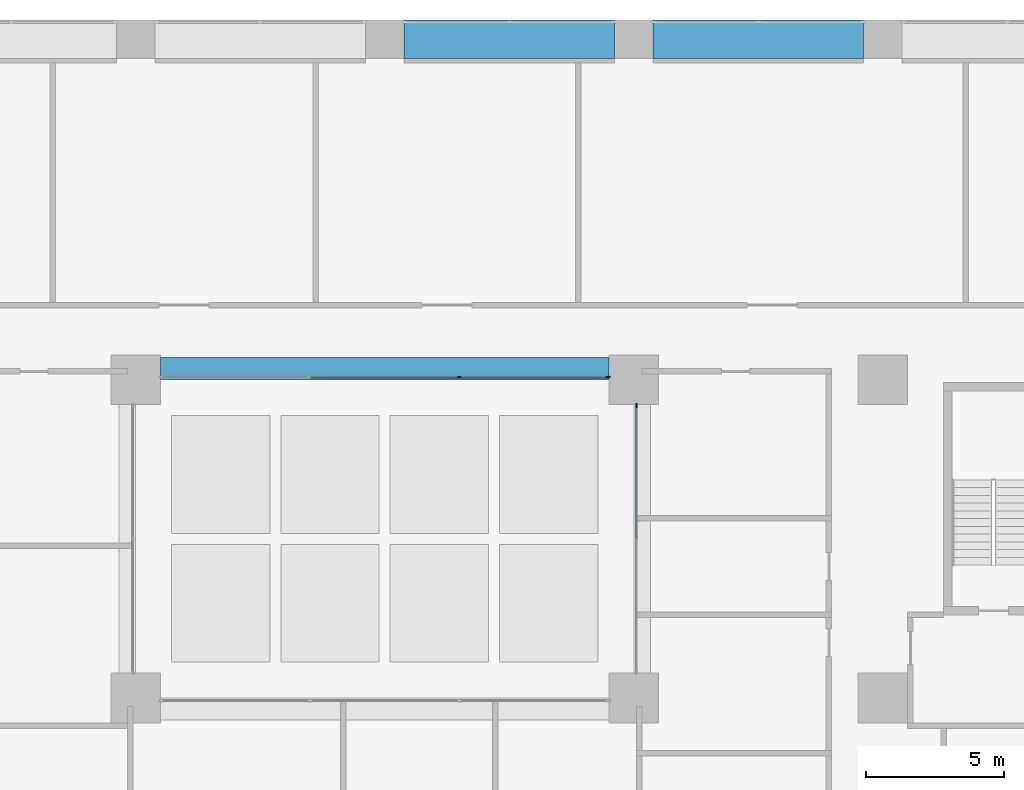
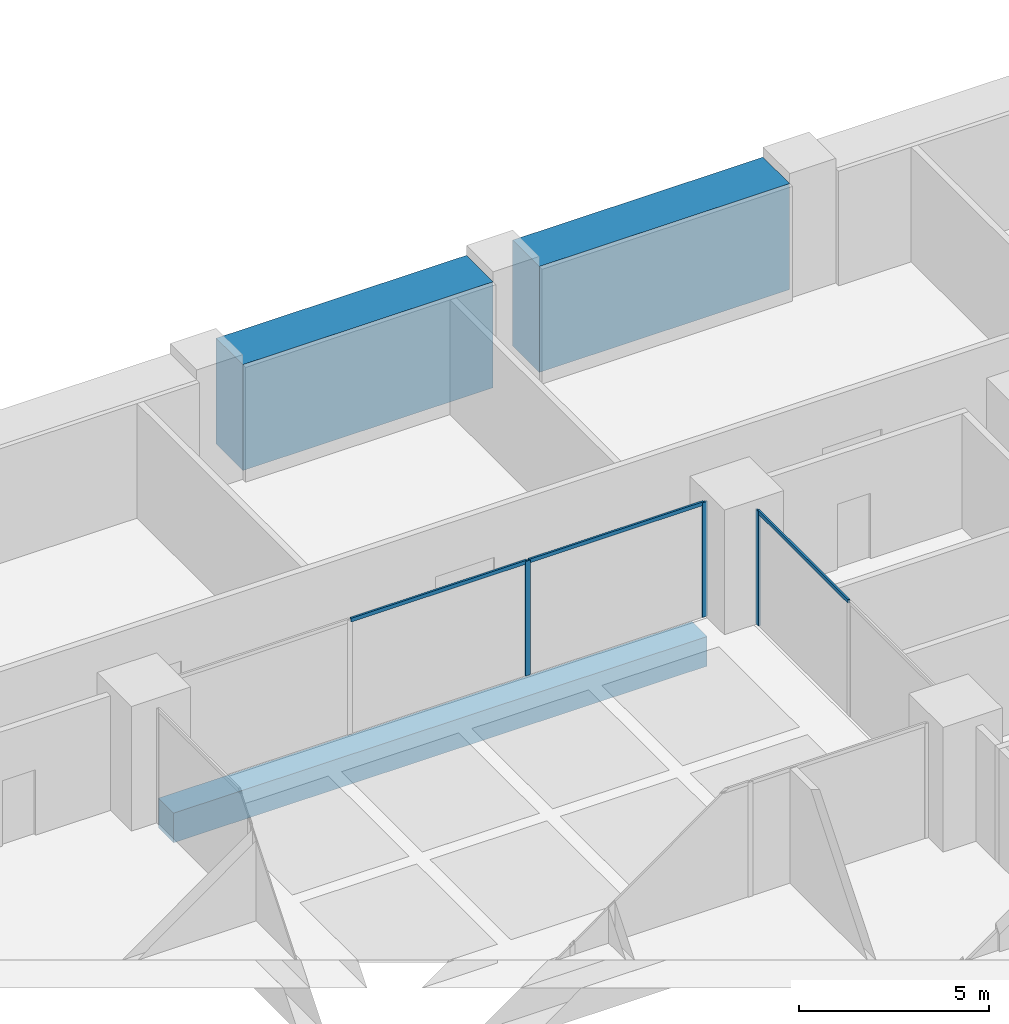
# One storey, part 8 of 24: 6 members, 3 beams, 2 elements without a shape of their own.
"""IFC4 building model written with IfcOpenShell, lengths in metres."""

from ifc_helpers import new_model, si_unit, direction, frame, origin, origin_2d, place, context, subcontext, project, spatial, rectangle, extrude, material, layer, layer_set, material_profile, profile_set, type_object, element, aggregate, save


model = new_model("IFC4")

# Units and contexts
model_context = context("Model", 3, precision=1e-05, world=origin(), true_north=direction((0.0, 1.0)))
body_context = subcontext(model_context, "Body", "Model", "MODEL_VIEW")
ifc_project = project(units=[si_unit("LENGTHUNIT", "METRE"), si_unit("AREAUNIT", "SQUARE_METRE"), si_unit("VOLUMEUNIT", "CUBIC_METRE"), si_unit("PLANEANGLEUNIT", "RADIAN"), si_unit("MASSUNIT", "GRAM", prefix="KILO")], contexts=[model_context])

# Site, building, storey
site_placement = place(None, origin())
site = spatial("IfcSite", under=ifc_project, at=site_placement, CompositionType="ELEMENT")
building_placement = place(site_placement, origin())
building = spatial("IfcBuilding", under=site, at=building_placement, Name="Brigalow Station Residences", CompositionType="ELEMENT")
storey_placement = place(building_placement, frame((0.0, 0.0, 15.5)))
storey = spatial("IfcBuildingStorey", under=building, at=storey_placement, Name="L03", CompositionType="ELEMENT", Elevation=15.5)

# Beam
ifc_material_1 = material(Name="Concrete C65", Category="concrete")
ifc_material_profile_1 = material_profile(ifc_material_1, rectangle(XDim=0.800048828125, YDim=0.949951171875, at=origin_2d()), Name="RC800x950")
ifc_profile_set_1 = profile_set([ifc_material_profile_1], Name="Concrete C65")
beam_type_1 = type_object("IfcBeamType", Name="ATRIUM EDGE GIRDER OVER 13.5 M SPAN 800x950 C65", PredefinedType="BEAM", material=ifc_profile_set_1)
beam_placement = place(storey_placement, frame((27.89990234375, 35.89990234375, -1.074951171875), z_axis=(1.0, 0.0, 0.0), x_axis=(0.0, 1.0, 0.0)))
element("IfcBeam", 1, at=beam_placement, inside=storey, type_object=beam_type_1, Name="ATRIUM EDGE GIRDER D L03", PredefinedType="BEAM", context=body_context, shape_type="SweptSolid", body=[
    extrude(rectangle(XDim=0.800048828125, YDim=0.949951171875, at=origin_2d()), origin(), (0.0, 0.0, 1.0), 16.2001953125),
])

# Curtain wall, member
ifc_material_2 = material(Name="Aluminium", Category="aluminium")
ifc_layer = layer(ifc_material_2, 0.14990234375)
ifc_layer_set = layer_set([ifc_layer], Name="ATRIUM FIRE-RATED GLAZING CURTAIN WALL")
curtain_wall_type = type_object("IfcCurtainWallType", Name="ATRIUM FIRE-RATED GLAZING CURTAIN WALL", PredefinedType="NOTDEFINED", material=ifc_layer_set)
curtain_wall_1_placement = place(storey_placement, origin())
curtain_wall_1 = element("IfcCurtainWall", 2, at=curtain_wall_1_placement, inside=storey, type_object=curtain_wall_type, Name="L03/cw/atrium-E", PredefinedType="NOTDEFINED")
ifc_material_3 = material(Name="Aluminium", Category="aluminium")
ifc_material_profile_2 = material_profile(ifc_material_3, rectangle(XDim=0.06005859375, YDim=0.14990234375, at=origin_2d()), Name="ATRIUM FIRE-RATED GLAZING MULLION 60x150")
ifc_profile_set_2 = profile_set([ifc_material_profile_2], Name="Aluminium")
member_type_1 = type_object("IfcMemberType", Name="ATRIUM FIRE-RATED GLAZING MULLION 60x150", PredefinedType="MULLION", material=ifc_profile_set_2)
member_1_placement = place(storey_placement, frame((45.10009765625, 34.570068359375, 0.0), z_axis=(0.0, 0.0, 1.0), x_axis=(-1.0, 0.0, 0.0)))
member_1 = element("IfcMember", 3, at=member_1_placement, type_object=member_type_1, Name="L03/cw/atrium-E/M02", PredefinedType="MULLION", context=body_context, shape_type="SweptSolid", body=[
    extrude(rectangle(XDim=0.06005859375, YDim=0.14990234375, at=origin_2d()), origin(), (0.0, 0.0, 1.0), 3.679931640625),
])

# Curtain wall, members
curtain_wall_2_placement = place(storey_placement, origin())
curtain_wall_2 = element("IfcCurtainWall", 4, at=curtain_wall_2_placement, inside=storey, type_object=curtain_wall_type, Name="L03/cw/atrium-N", PredefinedType="NOTDEFINED")
member_2_placement = place(storey_placement, frame((44.070068359375, 35.60009765625, 0.0), z_axis=(0.0, 0.0, 1.0), x_axis=(0.0, -1.0, 0.0)))
member_2 = element("IfcMember", 5, at=member_2_placement, type_object=member_type_1, Name="L03/cw/atrium-N/M00", PredefinedType="MULLION", context=body_context, shape_type="SweptSolid", body=[
    extrude(rectangle(XDim=0.06005859375, YDim=0.14990234375, at=origin_2d()), origin(), (0.0, 0.0, 1.0), 3.679931640625),
])
member_3_placement = place(storey_placement, frame((38.699951171875, 35.60009765625, 0.0), z_axis=(0.0, 0.0, 1.0), x_axis=(0.0, -1.0, 0.0)))
member_3 = element("IfcMember", 6, at=member_3_placement, type_object=member_type_1, Name="L03/cw/atrium-N/M01", PredefinedType="MULLION", context=body_context, shape_type="SweptSolid", body=[
    extrude(rectangle(XDim=0.06005859375, YDim=0.14990234375, at=origin_2d()), origin(), (0.0, 0.0, 1.0), 3.679931640625),
])

# Member
ifc_material_4 = material(Name="Aluminium", Category="aluminium")
ifc_material_profile_3 = material_profile(ifc_material_4, rectangle(XDim=0.06005859375, YDim=0.1201171875, at=origin_2d()), Name="ATRIUM FIRE-RATED GLAZING TRANSOM 60x120")
ifc_profile_set_3 = profile_set([ifc_material_profile_3], Name="Aluminium")
member_type_2 = type_object("IfcMemberType", Name="ATRIUM FIRE-RATED GLAZING TRANSOM 60x120", PredefinedType="USERDEFINED", material=ifc_profile_set_3)
member_4_placement = place(storey_placement, frame((45.10009765625, 29.780029296875, 3.64990234375), z_axis=(0.0, 1.0, 0.0), x_axis=(-1.0, 0.0, 0.0)))
member_4 = element("IfcMember", 7, at=member_4_placement, type_object=member_type_2, Name="L03/cw/atrium-E/T01-00", ObjectType="TRANSOM", PredefinedType="USERDEFINED", context=body_context, shape_type="SweptSolid", body=[
    extrude(rectangle(XDim=0.06005859375, YDim=0.1201171875, at=origin_2d()), origin(), (0.0, 0.0, 1.0), 4.760009765625),
])

aggregate(curtain_wall_1, [member_1, member_4])

member_5_placement = place(storey_placement, frame((44.0400390625, 35.60009765625, 3.64990234375), z_axis=(-1.0, 0.0, 0.0), x_axis=(0.0, -1.0, 0.0)))
member_5 = element("IfcMember", 8, at=member_5_placement, type_object=member_type_2, Name="L03/cw/atrium-N/T00-00", ObjectType="TRANSOM", PredefinedType="USERDEFINED", context=body_context, shape_type="SweptSolid", body=[
    extrude(rectangle(XDim=0.06005859375, YDim=0.1201171875, at=origin_2d()), origin(), (0.0, 0.0, 1.0), 5.31005859375),
])

member_6_placement = place(storey_placement, frame((38.669921875, 35.60009765625, 3.64990234375), z_axis=(-1.0, 0.0, 0.0), x_axis=(0.0, -1.0, 0.0)))
member_6 = element("IfcMember", 9, at=member_6_placement, type_object=member_type_2, Name="L03/cw/atrium-N/T01-00", ObjectType="TRANSOM", PredefinedType="USERDEFINED", context=body_context, shape_type="SweptSolid", body=[
    extrude(rectangle(XDim=0.06005859375, YDim=0.1201171875, at=origin_2d()), origin(), (0.0, 0.0, 1.0), 5.33984375),
])

aggregate(curtain_wall_2, [member_2, member_3, member_5, member_6])

# Beams
ifc_material_5 = material(Name="Concrete C80", Category="concrete")
ifc_material_profile_4 = material_profile(ifc_material_5, rectangle(XDim=1.39990234375, YDim=3.39990234375, at=origin_2d()), Name="RC1400x3400")
ifc_profile_set_4 = profile_set([ifc_material_profile_4], Name="Concrete C80")
beam_type_2 = type_object("IfcBeamType", Name="TRANSFER GIRDER 1400x3400 C80", PredefinedType="USERDEFINED", material=ifc_profile_set_4)
for number, where, z_axis, x_axis, name in (
    (10, (53.300048828125, 47.800048828125, 1.97998046875), (-1.0, 0.0, 0.0), (0.0, -1.0, 0.0), "TRANSFER GIRDER N-6 L03"),
    (11, (44.300048828125, 47.800048828125, 1.97998046875), (-1.0, 0.0, 0.0), (0.0, -1.0, 0.0), "TRANSFER GIRDER N-8 L03"),
):
    element("IfcBeam", number, at=place(storey_placement, frame(where, z_axis=z_axis, x_axis=x_axis)), inside=storey, type_object=beam_type_2, Name=name, ObjectType="TRANSFER GIRDER", PredefinedType="USERDEFINED", context=body_context, shape_type="SweptSolid", body=[
        extrude(rectangle(XDim=1.39990234375, YDim=3.39990234375, at=origin_2d()), origin(), (0.0, 0.0, 1.0), 7.60009765625),
    ])

save(model, "model.ifc")
